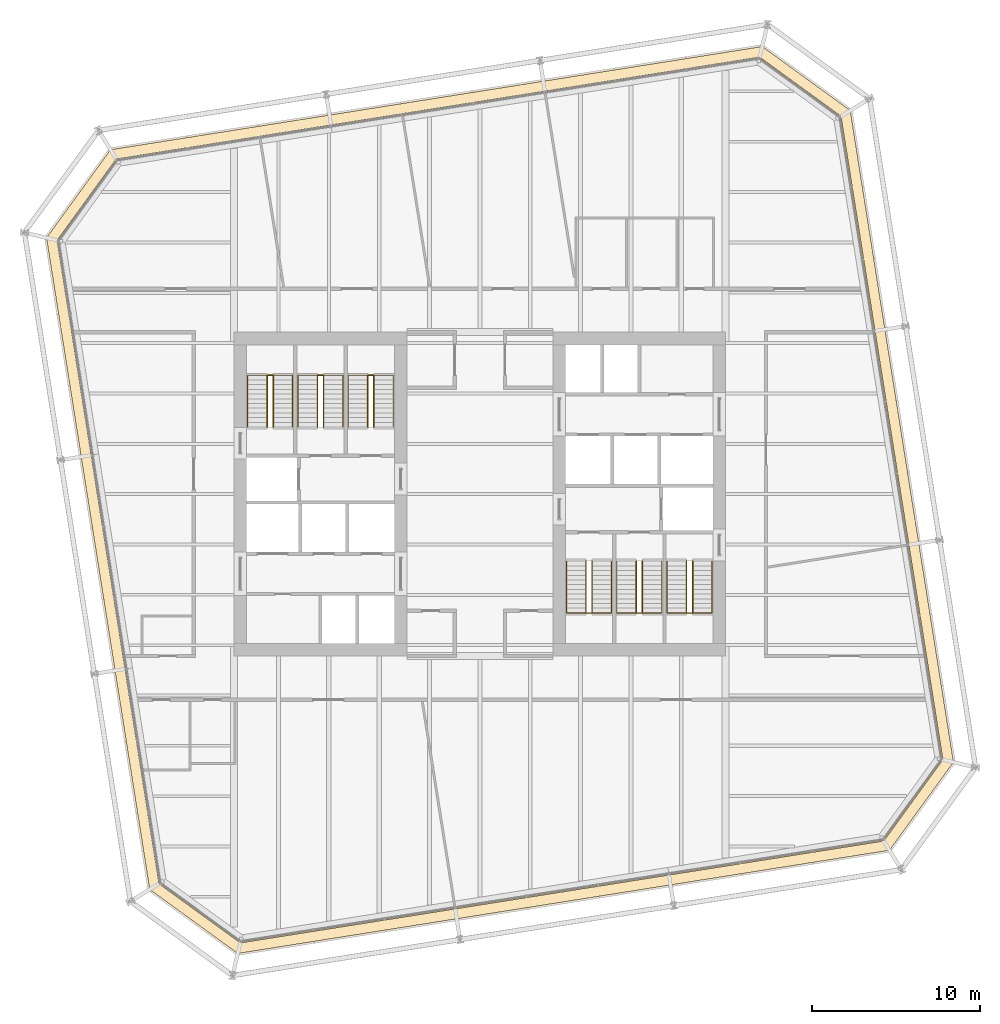
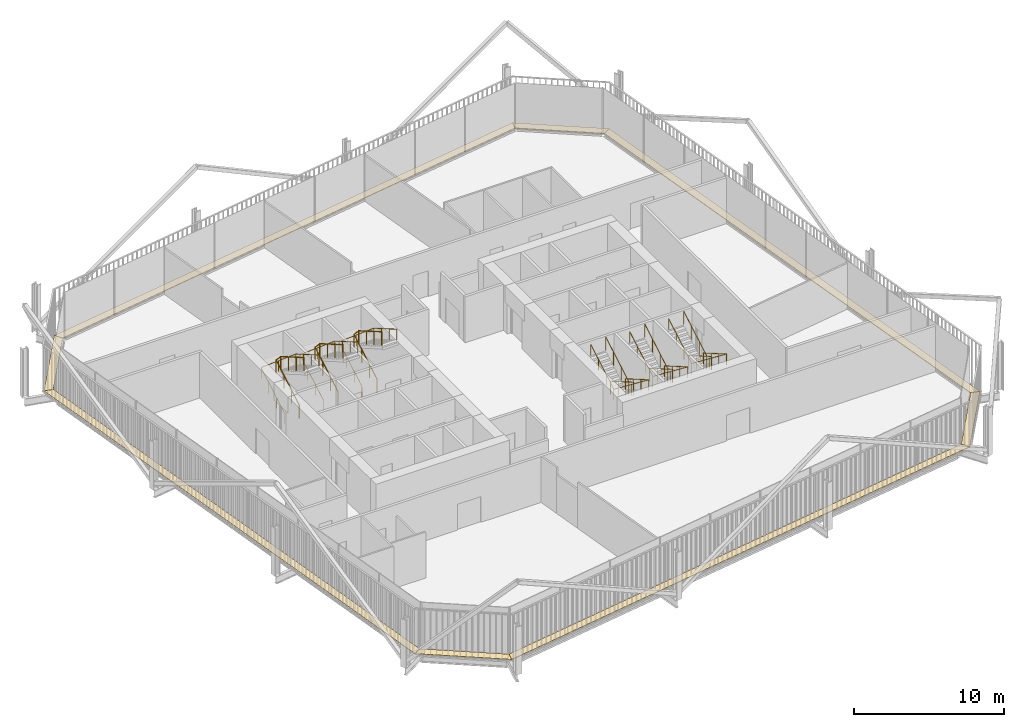
# One storey, part 22 of 22: 12 railings, 8 coverings.
"""IFC4 building model written with IfcOpenShell, lengths in metres."""

from ifc_helpers import new_model, si_unit, direction, frame, origin, origin_2d, place, context, subcontext, project, spatial, polyline, circle, outline, extrude, material, layer, layer_set, type_object, element, save


model = new_model("IFC4")

# Units and contexts
model_context = context("Model", 3, precision=1e-05, world=origin(), true_north=direction((0.0, 1.0)))
body_context = subcontext(model_context, "Body", "Model", "MODEL_VIEW")
ifc_project = project(units=[si_unit("LENGTHUNIT", "METRE"), si_unit("AREAUNIT", "SQUARE_METRE"), si_unit("VOLUMEUNIT", "CUBIC_METRE"), si_unit("PLANEANGLEUNIT", "RADIAN"), si_unit("MASSUNIT", "GRAM", prefix="KILO")], contexts=[model_context])

# Site, building, storey
site_placement = place(None, origin())
site = spatial("IfcSite", under=ifc_project, at=site_placement, CompositionType="ELEMENT")
building_placement = place(site_placement, origin())
building = spatial("IfcBuilding", under=site, at=building_placement, Name="Millrace Tower", CompositionType="ELEMENT")
storey_placement = place(building_placement, frame((0.0, 0.0, 160.699951171875)))
storey = spatial("IfcBuildingStorey", under=building, at=storey_placement, Name="L36", CompositionType="ELEMENT", Elevation=160.699951171875)

# Coverings
ifc_material_1 = material(Name="Steel ASTM A36", Category="steel")
ifc_layer = layer(ifc_material_1, 0.050048828125)
ifc_layer_set = layer_set([ifc_layer], Name="Steel ASTM A36")
covering_type = type_object("IfcCoveringType", Name="CAVITY CATWALK steel grating", PredefinedType="FLOORING", material=ifc_layer_set)
placement = place(storey_placement, frame((0.0, 0.0, 0.10009765625)))
element("IfcCovering", 1, at=placement, inside=storey, type_object=covering_type, Name="Cavity catwalk grating C-F01 L36 1", PredefinedType="FLOORING", context=body_context, shape_type="SweptSolid", body=[
    extrude(outline(polyline([(-19.67578125, -23.562255859375), (-14.425048828125, -27.376953125), (-14.2734375, -26.74560546875), (-19.1220703125, -23.222900390625), (-19.67578125, -23.562255859375)])), origin(), (0.0, 0.0, 1.0), 0.050048828125),
])
element("IfcCovering", 2, at=placement, inside=storey, type_object=covering_type, Name="Cavity catwalk grating C-F02 L36 1", PredefinedType="FLOORING", context=body_context, shape_type="SweptSolid", body=[
    extrude(outline(polyline([(-14.425048828125, -27.376953125), (24.412109375, -21.225830078125), (24.07275390625, -20.672119140625), (-14.2734375, -26.74560546875), (-14.425048828125, -27.376953125)])), origin(), (0.0, 0.0, 1.0), 0.050048828125),
])
element("IfcCovering", 3, at=placement, inside=storey, type_object=covering_type, Name="Cavity catwalk grating C-F03 L36 1", PredefinedType="FLOORING", context=body_context, shape_type="SweptSolid", body=[
    extrude(outline(polyline([(24.412109375, -21.225830078125), (28.22705078125, -15.97509765625), (27.595458984375, -15.823486328125), (24.07275390625, -20.672119140625), (24.412109375, -21.225830078125)])), origin(), (0.0, 0.0, 1.0), 0.050048828125),
])
element("IfcCovering", 4, at=placement, inside=storey, type_object=covering_type, Name="Cavity catwalk grating C-F04 L36 1", PredefinedType="FLOORING", context=body_context, shape_type="SweptSolid", body=[
    extrude(outline(polyline([(28.22705078125, -15.97509765625), (22.075927734375, 22.862060546875), (21.522216796875, 22.522705078125), (27.595458984375, -15.823486328125), (28.22705078125, -15.97509765625)])), origin(), (0.0, 0.0, 1.0), 0.050048828125),
])
element("IfcCovering", 5, at=placement, inside=storey, type_object=covering_type, Name="Cavity catwalk grating C-F05 L36 1", PredefinedType="FLOORING", context=body_context, shape_type="SweptSolid", body=[
    extrude(outline(polyline([(22.075927734375, 22.862060546875), (16.824951171875, 26.677001953125), (16.67333984375, 26.045654296875), (21.522216796875, 22.522705078125), (22.075927734375, 22.862060546875)])), origin(), (0.0, 0.0, 1.0), 0.050048828125),
])
element("IfcCovering", 6, at=placement, inside=storey, type_object=covering_type, Name="Cavity catwalk grating C-F06 L36 1", PredefinedType="FLOORING", context=body_context, shape_type="SweptSolid", body=[
    extrude(outline(polyline([(16.824951171875, 26.677001953125), (-22.01220703125, 20.52587890625), (-21.6728515625, 19.97216796875), (16.67333984375, 26.045654296875), (16.824951171875, 26.677001953125)])), origin(), (0.0, 0.0, 1.0), 0.050048828125),
])
element("IfcCovering", 7, at=placement, inside=storey, type_object=covering_type, Name="Cavity catwalk grating C-F07 L36 1", PredefinedType="FLOORING", context=body_context, shape_type="SweptSolid", body=[
    extrude(outline(polyline([(-22.01220703125, 20.52587890625), (-25.8271484375, 15.275146484375), (-25.195556640625, 15.12353515625), (-21.6728515625, 19.97216796875), (-22.01220703125, 20.52587890625)])), origin(), (0.0, 0.0, 1.0), 0.050048828125),
])
element("IfcCovering", 8, at=placement, inside=storey, type_object=covering_type, Name="Cavity catwalk grating C-F08 L36 1", PredefinedType="FLOORING", context=body_context, shape_type="SweptSolid", body=[
    extrude(outline(polyline([(-25.8271484375, 15.275146484375), (-19.67578125, -23.562255859375), (-19.1220703125, -23.222900390625), (-25.195556640625, 15.12353515625), (-25.8271484375, 15.275146484375)])), origin(), (0.0, 0.0, 1.0), 0.050048828125),
])

# Railings
ifc_material_2 = material(Name="Stainless steel ASTM A240 type 316", Category="steel")
railing_type_1 = type_object("IfcRailingType", Name="Stair guard 1100", PredefinedType="GUARDRAIL", material=ifc_material_2)
for number, where, name in (
    (9, (-12.679931640625, 4.0, 0.16259765625), "Stair guard 1 W L36"),
    (10, (-9.679931640625, 4.0, 0.16259765625), "Stair guard 2 W L36"),
    (11, (-6.679931640625, 4.0, 0.16259765625), "Stair guard 3 W L36"),
):
    element("IfcRailing", number, at=place(storey_placement, frame(where)), inside=storey, type_object=railing_type_1, Name=name, PredefinedType="GUARDRAIL", context=body_context, shape_type="SweptSolid", body=[
        extrude(circle(Radius=0.02392578125, at=origin_2d()), frame((0.0, 0.0, 1.076171875), z_axis=(0.0, 0.864920483161, 0.501908913857), x_axis=(-1.0, 0.0, 0.0)), (0.0, 0.0, 1.0), 3.56103515625),
        extrude(circle(Radius=0.02392578125, at=origin_2d()), frame((0.0, 3.080078125, 2.86328125), z_axis=(0.911295775139, 0.0, 0.411752365158), x_axis=(0.0, 1.0, 0.0)), (0.0, 0.0, 1.0), 0.394775390625),
        extrude(circle(Radius=0.02392578125, at=origin_2d()), frame((0.35986328125, 3.080078125, 3.02587890625), z_axis=(0.0, -0.864890721111, 0.501960198159), x_axis=(1.0, 0.0, 0.0)), (0.0, 0.0, 1.0), 3.561279296875),
        extrude(circle(Radius=0.02099609375, at=origin_2d()), origin(), (0.0, 0.0, 1.0), 1.052001953125),
        extrude(circle(Radius=0.02099609375, at=origin_2d()), frame((0.0, 1.026611328125, 0.595703125)), (0.0, 0.0, 1.0), 1.052001953125),
        extrude(circle(Radius=0.02099609375, at=origin_2d()), frame((0.0, 2.053466796875, 1.191650390625)), (0.0, 0.0, 1.0), 1.052001953125),
        extrude(circle(Radius=0.02099609375, at=origin_2d()), frame((0.0, 3.080078125, 1.787353515625)), (0.0, 0.0, 1.0), 1.052001953125),
        extrude(circle(Radius=0.02099609375, at=origin_2d()), frame((0.35986328125, 3.080078125, 1.949951171875)), (0.0, 0.0, 1.0), 1.052001953125),
        extrude(circle(Radius=0.02099609375, at=origin_2d()), frame((0.35986328125, 2.053466796875, 2.5458984375)), (0.0, 0.0, 1.0), 1.052001953125),
        extrude(circle(Radius=0.02099609375, at=origin_2d()), frame((0.35986328125, 1.026611328125, 3.1416015625)), (0.0, 0.0, 1.0), 1.052001953125),
        extrude(circle(Radius=0.02099609375, at=origin_2d()), frame((0.35986328125, 0.0, 3.737548828125)), (0.0, 0.0, 1.0), 1.052001953125),
    ])
for number, where, name in (
    (12, (12.679931640625, -4.0, 0.16259765625), "Stair guard 1 E L36"),
    (13, (9.679931640625, -4.0, 0.16259765625), "Stair guard 2 E L36"),
    (14, (6.679931640625, -4.0, 0.16259765625), "Stair guard 3 E L36"),
):
    element("IfcRailing", number, at=place(storey_placement, frame(where)), inside=storey, type_object=railing_type_1, Name=name, PredefinedType="GUARDRAIL", context=body_context, shape_type="SweptSolid", body=[
        extrude(circle(Radius=0.02392578125, at=origin_2d()), frame((0.0, 0.0, 1.076171875), z_axis=(0.0, -0.864920483161, 0.501908913857), x_axis=(1.0, 0.0, 0.0)), (0.0, 0.0, 1.0), 3.56103515625),
        extrude(circle(Radius=0.02392578125, at=origin_2d()), frame((0.0, -3.080078125, 2.86328125), z_axis=(-0.911295775139, 0.0, 0.411752365158), x_axis=(0.0, -1.0, 0.0)), (0.0, 0.0, 1.0), 0.394775390625),
        extrude(circle(Radius=0.02392578125, at=origin_2d()), frame((-0.35986328125, -3.080078125, 3.02587890625), z_axis=(0.0, 0.864890721111, 0.501960198159), x_axis=(-1.0, 0.0, 0.0)), (0.0, 0.0, 1.0), 3.561279296875),
        extrude(circle(Radius=0.02099609375, at=origin_2d()), origin(), (0.0, 0.0, 1.0), 1.052001953125),
        extrude(circle(Radius=0.02099609375, at=origin_2d()), frame((0.0, -1.026611328125, 0.595703125)), (0.0, 0.0, 1.0), 1.052001953125),
        extrude(circle(Radius=0.02099609375, at=origin_2d()), frame((0.0, -2.053466796875, 1.191650390625)), (0.0, 0.0, 1.0), 1.052001953125),
        extrude(circle(Radius=0.02099609375, at=origin_2d()), frame((0.0, -3.080078125, 1.787353515625)), (0.0, 0.0, 1.0), 1.052001953125),
        extrude(circle(Radius=0.02099609375, at=origin_2d()), frame((-0.35986328125, -3.080078125, 1.949951171875)), (0.0, 0.0, 1.0), 1.052001953125),
        extrude(circle(Radius=0.02099609375, at=origin_2d()), frame((-0.35986328125, -2.053466796875, 2.5458984375)), (0.0, 0.0, 1.0), 1.052001953125),
        extrude(circle(Radius=0.02099609375, at=origin_2d()), frame((-0.35986328125, -1.026611328125, 3.1416015625)), (0.0, 0.0, 1.0), 1.052001953125),
        extrude(circle(Radius=0.02099609375, at=origin_2d()), frame((-0.35986328125, 0.0, 3.737548828125)), (0.0, 0.0, 1.0), 1.052001953125),
    ])
ifc_material_3 = material(Name="Stainless steel ASTM A240 type 316", Category="steel")
railing_type_2 = type_object("IfcRailingType", Name="Stair handrail 900", PredefinedType="HANDRAIL", material=ifc_material_3)
railing_1_placement = place(storey_placement, frame((-13.840087890625, 4.0, 0.16259765625)))
element("IfcRailing", 15, at=railing_1_placement, inside=storey, type_object=railing_type_2, Name="Stair handrail 1 W L36", PredefinedType="HANDRAIL", context=body_context, shape_type="SweptSolid", body=[
    extrude(circle(Radius=0.02392578125, at=origin_2d()), frame((0.0, 0.0, 0.8759765625), z_axis=(0.0, 0.864920483161, 0.501908913857), x_axis=(-1.0, 0.0, 0.0)), (0.0, 0.0, 1.0), 3.56103515625),
    extrude(circle(Radius=0.02392578125, at=origin_2d()), frame((0.0, 3.080078125, 2.6630859375), z_axis=(0.998164834547, 0.0, 0.060555454528), x_axis=(0.0, 1.0, 0.0)), (0.0, 0.0, 1.0), 2.68505859375),
    extrude(circle(Radius=0.02392578125, at=origin_2d()), frame((2.68017578125, 3.080078125, 2.82568359375), z_axis=(0.0, -0.864890721111, 0.501960198159), x_axis=(1.0, 0.0, 0.0)), (0.0, 0.0, 1.0), 3.561279296875),
    extrude(circle(Radius=0.02099609375, at=origin_2d()), origin(), (0.0, 0.0, 1.0), 0.851806640625),
    extrude(circle(Radius=0.02099609375, at=origin_2d()), frame((0.0, 1.026611328125, 0.595703125)), (0.0, 0.0, 1.0), 0.851806640625),
    extrude(circle(Radius=0.02099609375, at=origin_2d()), frame((0.0, 2.053466796875, 1.191650390625)), (0.0, 0.0, 1.0), 0.851806640625),
    extrude(circle(Radius=0.02099609375, at=origin_2d()), frame((0.0, 3.080078125, 1.787353515625)), (0.0, 0.0, 1.0), 0.851806640625),
    extrude(circle(Radius=0.02099609375, at=origin_2d()), frame((1.340087890625, 3.080078125, 1.86865234375)), (0.0, 0.0, 1.0), 0.851806640625),
    extrude(circle(Radius=0.02099609375, at=origin_2d()), frame((2.68017578125, 3.080078125, 1.949951171875)), (0.0, 0.0, 1.0), 0.851806640625),
    extrude(circle(Radius=0.02099609375, at=origin_2d()), frame((2.68017578125, 2.053466796875, 2.5458984375)), (0.0, 0.0, 1.0), 0.851806640625),
    extrude(circle(Radius=0.02099609375, at=origin_2d()), frame((2.68017578125, 1.026611328125, 3.1416015625)), (0.0, 0.0, 1.0), 0.851806640625),
    extrude(circle(Radius=0.02099609375, at=origin_2d()), frame((2.68017578125, 0.0, 3.737548828125)), (0.0, 0.0, 1.0), 0.851806640625),
])
railing_2_placement = place(storey_placement, frame((-10.840087890625, 4.0, 0.16259765625)))
element("IfcRailing", 16, at=railing_2_placement, inside=storey, type_object=railing_type_2, Name="Stair handrail 2 W L36", PredefinedType="HANDRAIL", context=body_context, shape_type="SweptSolid", body=[
    extrude(circle(Radius=0.02392578125, at=origin_2d()), frame((0.0, 0.0, 0.8759765625), z_axis=(0.0, 0.864920483161, 0.501908913857), x_axis=(-1.0, 0.0, 0.0)), (0.0, 0.0, 1.0), 3.56103515625),
    extrude(circle(Radius=0.02392578125, at=origin_2d()), frame((0.0, 3.080078125, 2.6630859375), z_axis=(0.998164834547, 0.0, 0.060555454528), x_axis=(0.0, 1.0, 0.0)), (0.0, 0.0, 1.0), 2.68505859375),
    extrude(circle(Radius=0.02392578125, at=origin_2d()), frame((2.68017578125, 3.080078125, 2.82568359375), z_axis=(0.0, -0.864890721111, 0.501960198159), x_axis=(1.0, 0.0, 0.0)), (0.0, 0.0, 1.0), 3.561279296875),
    extrude(circle(Radius=0.02099609375, at=origin_2d()), origin(), (0.0, 0.0, 1.0), 0.851806640625),
    extrude(circle(Radius=0.02099609375, at=origin_2d()), frame((0.0, 1.026611328125, 0.595703125)), (0.0, 0.0, 1.0), 0.851806640625),
    extrude(circle(Radius=0.02099609375, at=origin_2d()), frame((0.0, 2.053466796875, 1.191650390625)), (0.0, 0.0, 1.0), 0.851806640625),
    extrude(circle(Radius=0.02099609375, at=origin_2d()), frame((0.0, 3.080078125, 1.787353515625)), (0.0, 0.0, 1.0), 0.851806640625),
    extrude(circle(Radius=0.02099609375, at=origin_2d()), frame((1.340087890625, 3.080078125, 1.86865234375)), (0.0, 0.0, 1.0), 0.851806640625),
    extrude(circle(Radius=0.02099609375, at=origin_2d()), frame((2.68017578125, 3.080078125, 1.949951171875)), (0.0, 0.0, 1.0), 0.851806640625),
    extrude(circle(Radius=0.02099609375, at=origin_2d()), frame((2.68017578125, 2.053466796875, 2.5458984375)), (0.0, 0.0, 1.0), 0.851806640625),
    extrude(circle(Radius=0.02099609375, at=origin_2d()), frame((2.68017578125, 1.026611328125, 3.1416015625)), (0.0, 0.0, 1.0), 0.851806640625),
    extrude(circle(Radius=0.02099609375, at=origin_2d()), frame((2.68017578125, 0.0, 3.737548828125)), (0.0, 0.0, 1.0), 0.851806640625),
])
railing_3_placement = place(storey_placement, frame((-7.840087890625, 4.0, 0.16259765625)))
element("IfcRailing", 17, at=railing_3_placement, inside=storey, type_object=railing_type_2, Name="Stair handrail 3 W L36", PredefinedType="HANDRAIL", context=body_context, shape_type="SweptSolid", body=[
    extrude(circle(Radius=0.02392578125, at=origin_2d()), frame((0.0, 0.0, 0.8759765625), z_axis=(0.0, 0.864920483161, 0.501908913857), x_axis=(-1.0, 0.0, 0.0)), (0.0, 0.0, 1.0), 3.56103515625),
    extrude(circle(Radius=0.02392578125, at=origin_2d()), frame((0.0, 3.080078125, 2.6630859375), z_axis=(0.998164834547, 0.0, 0.060555454528), x_axis=(0.0, 1.0, 0.0)), (0.0, 0.0, 1.0), 2.68505859375),
    extrude(circle(Radius=0.02392578125, at=origin_2d()), frame((2.68017578125, 3.080078125, 2.82568359375), z_axis=(0.0, -0.864890721111, 0.501960198159), x_axis=(1.0, 0.0, 0.0)), (0.0, 0.0, 1.0), 3.561279296875),
    extrude(circle(Radius=0.02099609375, at=origin_2d()), origin(), (0.0, 0.0, 1.0), 0.851806640625),
    extrude(circle(Radius=0.02099609375, at=origin_2d()), frame((0.0, 1.026611328125, 0.595703125)), (0.0, 0.0, 1.0), 0.851806640625),
    extrude(circle(Radius=0.02099609375, at=origin_2d()), frame((0.0, 2.053466796875, 1.191650390625)), (0.0, 0.0, 1.0), 0.851806640625),
    extrude(circle(Radius=0.02099609375, at=origin_2d()), frame((0.0, 3.080078125, 1.787353515625)), (0.0, 0.0, 1.0), 0.851806640625),
    extrude(circle(Radius=0.02099609375, at=origin_2d()), frame((1.340087890625, 3.080078125, 1.86865234375)), (0.0, 0.0, 1.0), 0.851806640625),
    extrude(circle(Radius=0.02099609375, at=origin_2d()), frame((2.68017578125, 3.080078125, 1.949951171875)), (0.0, 0.0, 1.0), 0.851806640625),
    extrude(circle(Radius=0.02099609375, at=origin_2d()), frame((2.68017578125, 2.053466796875, 2.5458984375)), (0.0, 0.0, 1.0), 0.851806640625),
    extrude(circle(Radius=0.02099609375, at=origin_2d()), frame((2.68017578125, 1.026611328125, 3.1416015625)), (0.0, 0.0, 1.0), 0.851806640625),
    extrude(circle(Radius=0.02099609375, at=origin_2d()), frame((2.68017578125, 0.0, 3.737548828125)), (0.0, 0.0, 1.0), 0.851806640625),
])
railing_4_placement = place(storey_placement, frame((13.840087890625, -4.0, 0.16259765625)))
element("IfcRailing", 18, at=railing_4_placement, inside=storey, type_object=railing_type_2, Name="Stair handrail 1 E L36", PredefinedType="HANDRAIL", context=body_context, shape_type="SweptSolid", body=[
    extrude(circle(Radius=0.02392578125, at=origin_2d()), frame((0.0, 0.0, 0.8759765625), z_axis=(0.0, -0.864920483161, 0.501908913857), x_axis=(1.0, 0.0, 0.0)), (0.0, 0.0, 1.0), 3.56103515625),
    extrude(circle(Radius=0.02392578125, at=origin_2d()), frame((0.0, -3.080078125, 2.6630859375), z_axis=(-0.998164834547, 0.0, 0.060555454528), x_axis=(0.0, -1.0, 0.0)), (0.0, 0.0, 1.0), 2.68505859375),
    extrude(circle(Radius=0.02392578125, at=origin_2d()), frame((-2.68017578125, -3.080078125, 2.82568359375), z_axis=(0.0, 0.864890721111, 0.501960198159), x_axis=(-1.0, 0.0, 0.0)), (0.0, 0.0, 1.0), 3.561279296875),
    extrude(circle(Radius=0.02099609375, at=origin_2d()), origin(), (0.0, 0.0, 1.0), 0.851806640625),
    extrude(circle(Radius=0.02099609375, at=origin_2d()), frame((0.0, -1.026611328125, 0.595703125)), (0.0, 0.0, 1.0), 0.851806640625),
    extrude(circle(Radius=0.02099609375, at=origin_2d()), frame((0.0, -2.053466796875, 1.191650390625)), (0.0, 0.0, 1.0), 0.851806640625),
    extrude(circle(Radius=0.02099609375, at=origin_2d()), frame((0.0, -3.080078125, 1.787353515625)), (0.0, 0.0, 1.0), 0.851806640625),
    extrude(circle(Radius=0.02099609375, at=origin_2d()), frame((-1.340087890625, -3.080078125, 1.86865234375)), (0.0, 0.0, 1.0), 0.851806640625),
    extrude(circle(Radius=0.02099609375, at=origin_2d()), frame((-2.68017578125, -3.080078125, 1.949951171875)), (0.0, 0.0, 1.0), 0.851806640625),
    extrude(circle(Radius=0.02099609375, at=origin_2d()), frame((-2.68017578125, -2.053466796875, 2.5458984375)), (0.0, 0.0, 1.0), 0.851806640625),
    extrude(circle(Radius=0.02099609375, at=origin_2d()), frame((-2.68017578125, -1.026611328125, 3.1416015625)), (0.0, 0.0, 1.0), 0.851806640625),
    extrude(circle(Radius=0.02099609375, at=origin_2d()), frame((-2.68017578125, 0.0, 3.737548828125)), (0.0, 0.0, 1.0), 0.851806640625),
])
railing_5_placement = place(storey_placement, frame((10.840087890625, -4.0, 0.16259765625)))
element("IfcRailing", 19, at=railing_5_placement, inside=storey, type_object=railing_type_2, Name="Stair handrail 2 E L36", PredefinedType="HANDRAIL", context=body_context, shape_type="SweptSolid", body=[
    extrude(circle(Radius=0.02392578125, at=origin_2d()), frame((0.0, 0.0, 0.8759765625), z_axis=(0.0, -0.864920483161, 0.501908913857), x_axis=(1.0, 0.0, 0.0)), (0.0, 0.0, 1.0), 3.56103515625),
    extrude(circle(Radius=0.02392578125, at=origin_2d()), frame((0.0, -3.080078125, 2.6630859375), z_axis=(-0.998164834547, 0.0, 0.060555454528), x_axis=(0.0, -1.0, 0.0)), (0.0, 0.0, 1.0), 2.68505859375),
    extrude(circle(Radius=0.02392578125, at=origin_2d()), frame((-2.68017578125, -3.080078125, 2.82568359375), z_axis=(0.0, 0.864890721111, 0.501960198159), x_axis=(-1.0, 0.0, 0.0)), (0.0, 0.0, 1.0), 3.561279296875),
    extrude(circle(Radius=0.02099609375, at=origin_2d()), origin(), (0.0, 0.0, 1.0), 0.851806640625),
    extrude(circle(Radius=0.02099609375, at=origin_2d()), frame((0.0, -1.026611328125, 0.595703125)), (0.0, 0.0, 1.0), 0.851806640625),
    extrude(circle(Radius=0.02099609375, at=origin_2d()), frame((0.0, -2.053466796875, 1.191650390625)), (0.0, 0.0, 1.0), 0.851806640625),
    extrude(circle(Radius=0.02099609375, at=origin_2d()), frame((0.0, -3.080078125, 1.787353515625)), (0.0, 0.0, 1.0), 0.851806640625),
    extrude(circle(Radius=0.02099609375, at=origin_2d()), frame((-1.340087890625, -3.080078125, 1.86865234375)), (0.0, 0.0, 1.0), 0.851806640625),
    extrude(circle(Radius=0.02099609375, at=origin_2d()), frame((-2.68017578125, -3.080078125, 1.949951171875)), (0.0, 0.0, 1.0), 0.851806640625),
    extrude(circle(Radius=0.02099609375, at=origin_2d()), frame((-2.68017578125, -2.053466796875, 2.5458984375)), (0.0, 0.0, 1.0), 0.851806640625),
    extrude(circle(Radius=0.02099609375, at=origin_2d()), frame((-2.68017578125, -1.026611328125, 3.1416015625)), (0.0, 0.0, 1.0), 0.851806640625),
    extrude(circle(Radius=0.02099609375, at=origin_2d()), frame((-2.68017578125, 0.0, 3.737548828125)), (0.0, 0.0, 1.0), 0.851806640625),
])
railing_6_placement = place(storey_placement, frame((7.840087890625, -4.0, 0.16259765625)))
element("IfcRailing", 20, at=railing_6_placement, inside=storey, type_object=railing_type_2, Name="Stair handrail 3 E L36", PredefinedType="HANDRAIL", context=body_context, shape_type="SweptSolid", body=[
    extrude(circle(Radius=0.02392578125, at=origin_2d()), frame((0.0, 0.0, 0.8759765625), z_axis=(0.0, -0.864920483161, 0.501908913857), x_axis=(1.0, 0.0, 0.0)), (0.0, 0.0, 1.0), 3.56103515625),
    extrude(circle(Radius=0.02392578125, at=origin_2d()), frame((0.0, -3.080078125, 2.6630859375), z_axis=(-0.998164834547, 0.0, 0.060555454528), x_axis=(0.0, -1.0, 0.0)), (0.0, 0.0, 1.0), 2.68505859375),
    extrude(circle(Radius=0.02392578125, at=origin_2d()), frame((-2.68017578125, -3.080078125, 2.82568359375), z_axis=(0.0, 0.864890721111, 0.501960198159), x_axis=(-1.0, 0.0, 0.0)), (0.0, 0.0, 1.0), 3.561279296875),
    extrude(circle(Radius=0.02099609375, at=origin_2d()), origin(), (0.0, 0.0, 1.0), 0.851806640625),
    extrude(circle(Radius=0.02099609375, at=origin_2d()), frame((0.0, -1.026611328125, 0.595703125)), (0.0, 0.0, 1.0), 0.851806640625),
    extrude(circle(Radius=0.02099609375, at=origin_2d()), frame((0.0, -2.053466796875, 1.191650390625)), (0.0, 0.0, 1.0), 0.851806640625),
    extrude(circle(Radius=0.02099609375, at=origin_2d()), frame((0.0, -3.080078125, 1.787353515625)), (0.0, 0.0, 1.0), 0.851806640625),
    extrude(circle(Radius=0.02099609375, at=origin_2d()), frame((-1.340087890625, -3.080078125, 1.86865234375)), (0.0, 0.0, 1.0), 0.851806640625),
    extrude(circle(Radius=0.02099609375, at=origin_2d()), frame((-2.68017578125, -3.080078125, 1.949951171875)), (0.0, 0.0, 1.0), 0.851806640625),
    extrude(circle(Radius=0.02099609375, at=origin_2d()), frame((-2.68017578125, -2.053466796875, 2.5458984375)), (0.0, 0.0, 1.0), 0.851806640625),
    extrude(circle(Radius=0.02099609375, at=origin_2d()), frame((-2.68017578125, -1.026611328125, 3.1416015625)), (0.0, 0.0, 1.0), 0.851806640625),
    extrude(circle(Radius=0.02099609375, at=origin_2d()), frame((-2.68017578125, 0.0, 3.737548828125)), (0.0, 0.0, 1.0), 0.851806640625),
])

save(model, "model.ifc")
